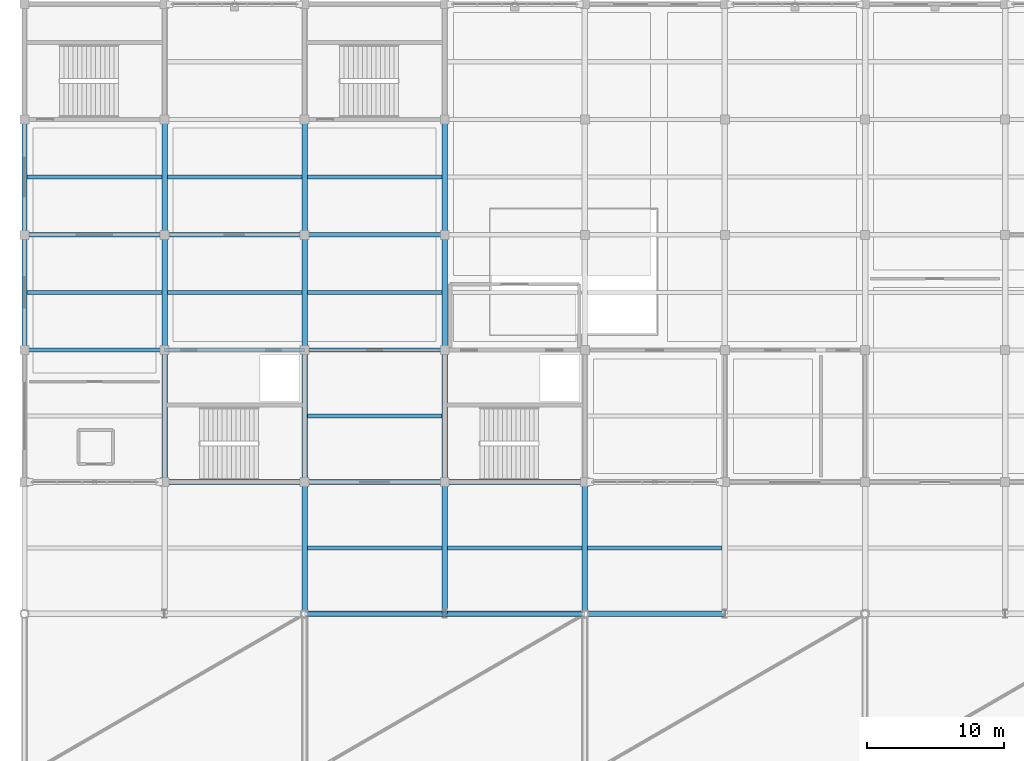
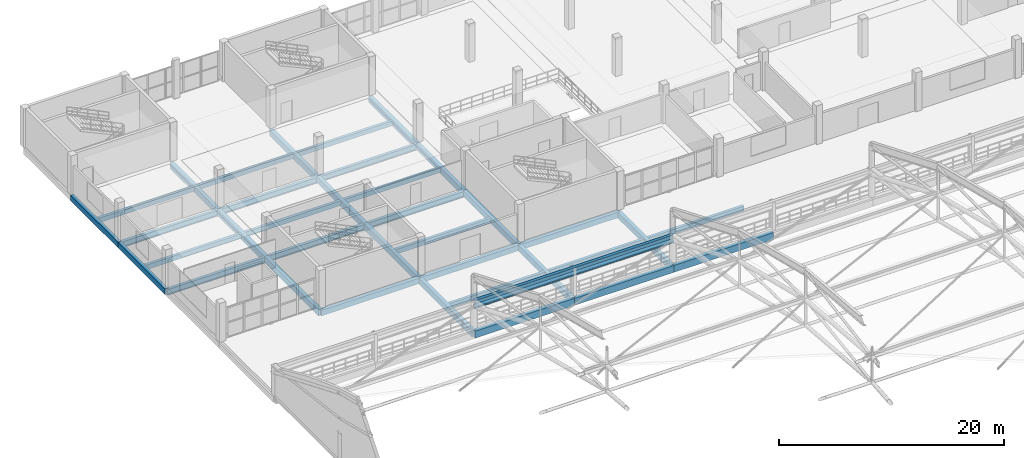
# One storey, part 33 of 135: 37 beams, 1 member.
"""IFC4 building model written with IfcOpenShell, lengths in metres."""

from ifc_helpers import new_model, si_unit, direction, frame, origin, origin_2d, place, context, subcontext, project, spatial, rectangle, hollow_circle, i_section, extrude, material, material_profile, profile_set, type_object, element, save


model = new_model("IFC4")

# Units and contexts
model_context = context("Model", 3, precision=1e-05, world=origin(), true_north=direction((0.0, 1.0)))
body_context = subcontext(model_context, "Body", "Model", "MODEL_VIEW")
ifc_project = project(units=[si_unit("LENGTHUNIT", "METRE"), si_unit("AREAUNIT", "SQUARE_METRE"), si_unit("VOLUMEUNIT", "CUBIC_METRE"), si_unit("PLANEANGLEUNIT", "RADIAN"), si_unit("MASSUNIT", "GRAM", prefix="KILO")], contexts=[model_context])

# Site, building, storey
site_placement = place(None, origin())
site = spatial("IfcSite", under=ifc_project, at=site_placement, CompositionType="ELEMENT")
building_placement = place(site_placement, origin())
building = spatial("IfcBuilding", under=site, at=building_placement, Name="Brelvane Convention Centre", CompositionType="ELEMENT")
storey_placement = place(building_placement, frame((0.0, 0.0, 15.0)))
storey = spatial("IfcBuildingStorey", under=building, at=storey_placement, Name="L03", CompositionType="ELEMENT", Elevation=15.0)

# Beams
ifc_material_1 = material(Name="Concrete M40", Category="concrete")
ifc_material_profile_1 = material_profile(ifc_material_1, rectangle(XDim=0.39990234375, YDim=0.75, at=origin_2d()), Name="RC 400x750")
ifc_profile_set_1 = profile_set([ifc_material_profile_1], Name="Concrete M40")
beam_type_1 = type_object("IfcBeamType", Name="RC Beam B-RC6 (RC 400x750)", PredefinedType="BEAM", material=ifc_profile_set_1)
beam_1_placement = place(storey_placement, frame((20.39990234375, 99.60009765625, -0.68505859375), z_axis=(1.0, 0.0, 0.0), x_axis=(0.0, 1.0, 0.0)))
element("IfcBeam", 1, at=beam_1_placement, inside=storey, type_object=beam_type_1, Name="L03 Beam 3-4/K", PredefinedType="BEAM", context=body_context, shape_type="SweptSolid", body=[
    extrude(rectangle(XDim=0.39990234375, YDim=0.75, at=origin_2d()), origin(), (0.0, 0.0, 1.0), 10.2001953125),
])
for number, where, z_axis, x_axis, name in (
    (2, (30.60009765625, 99.60009765625, -0.68505859375), (1.0, 0.0, 0.0), (0.0, 1.0, 0.0), "L03 Beam 4-5/K"),
    (3, (40.800048828125, 99.60009765625, -0.68505859375), (1.0, 0.0, 0.0), (0.0, 1.0, 0.0), "L03 Beam 5-6/K"),
):
    element("IfcBeam", number, at=place(storey_placement, frame(where, z_axis=z_axis, x_axis=x_axis)), inside=storey, type_object=beam_type_1, Name=name, PredefinedType="BEAM", context=body_context, shape_type="SweptSolid", body=[
        extrude(rectangle(XDim=0.39990234375, YDim=0.75, at=origin_2d()), origin(), (0.0, 0.0, 1.0), 10.199951171875),
    ])
ifc_material_2 = material(Name="Concrete M40", Category="concrete")
ifc_material_profile_2 = material_profile(ifc_material_2, rectangle(XDim=0.39990234375, YDim=0.64990234375, at=origin_2d()), Name="RC 400x650")
ifc_profile_set_2 = profile_set([ifc_material_profile_2], Name="Concrete M40")
beam_type_2 = type_object("IfcBeamType", Name="RC Beam B-RC7 (RC 400x650)", PredefinedType="BEAM", material=ifc_profile_set_2)
beam_2_placement = place(storey_placement, frame((10.199951171875, 109.199951171875, -0.6201171875), z_axis=(0.0, 1.0, 0.0), x_axis=(-1.0, 0.0, 0.0)))
element("IfcBeam", 4, at=beam_2_placement, inside=storey, type_object=beam_type_2, Name="L03 Girder 2/L-M", PredefinedType="BEAM", context=body_context, shape_type="SweptSolid", body=[
    extrude(rectangle(XDim=0.39990234375, YDim=0.64990234375, at=origin_2d()), origin(), (0.0, 0.0, 1.0), 9.60009765625),
])
beam_3_placement = place(storey_placement, frame((10.199951171875, 118.800048828125, -0.6201171875), z_axis=(0.0, 1.0, 0.0), x_axis=(-1.0, 0.0, 0.0)))
element("IfcBeam", 5, at=beam_3_placement, inside=storey, type_object=beam_type_2, Name="L03 Girder 2/M-N", PredefinedType="BEAM", context=body_context, shape_type="SweptSolid", body=[
    extrude(rectangle(XDim=0.39990234375, YDim=0.64990234375, at=origin_2d()), origin(), (0.0, 0.0, 1.0), 8.39990234375),
])
beam_4_placement = place(storey_placement, frame((10.199951171875, 127.199951171875, -0.6201171875), z_axis=(0.0, 1.0, 0.0), x_axis=(-1.0, 0.0, 0.0)))
element("IfcBeam", 6, at=beam_4_placement, inside=storey, type_object=beam_type_2, Name="L03 Girder 2/N-P", PredefinedType="BEAM", context=body_context, shape_type="SweptSolid", body=[
    extrude(rectangle(XDim=0.39990234375, YDim=0.64990234375, at=origin_2d()), origin(), (0.0, 0.0, 1.0), 8.400146484375),
])
beam_5_placement = place(storey_placement, frame((20.39990234375, 99.60009765625, -0.635009765625), z_axis=(0.0, 1.0, 0.0), x_axis=(-1.0, 0.0, 0.0)))
element("IfcBeam", 7, at=beam_5_placement, inside=storey, type_object=beam_type_2, Name="L03 Girder 3/K-L", PredefinedType="BEAM", context=body_context, shape_type="SweptSolid", body=[
    extrude(rectangle(XDim=0.39990234375, YDim=0.64990234375, at=origin_2d()), origin(), (0.0, 0.0, 1.0), 9.599853515625),
])
beam_6_placement = place(storey_placement, frame((20.39990234375, 109.199951171875, -0.6201171875), z_axis=(0.0, 1.0, 0.0), x_axis=(-1.0, 0.0, 0.0)))
element("IfcBeam", 8, at=beam_6_placement, inside=storey, type_object=beam_type_2, Name="L03 Girder 3/L-M", PredefinedType="BEAM", context=body_context, shape_type="SweptSolid", body=[
    extrude(rectangle(XDim=0.39990234375, YDim=0.64990234375, at=origin_2d()), origin(), (0.0, 0.0, 1.0), 9.60009765625),
])
beam_7_placement = place(storey_placement, frame((20.39990234375, 118.800048828125, -0.6201171875), z_axis=(0.0, 1.0, 0.0), x_axis=(-1.0, 0.0, 0.0)))
element("IfcBeam", 9, at=beam_7_placement, inside=storey, type_object=beam_type_2, Name="L03 Girder 3/M-N", PredefinedType="BEAM", context=body_context, shape_type="SweptSolid", body=[
    extrude(rectangle(XDim=0.39990234375, YDim=0.64990234375, at=origin_2d()), origin(), (0.0, 0.0, 1.0), 8.39990234375),
])
beam_8_placement = place(storey_placement, frame((20.39990234375, 127.199951171875, -0.6201171875), z_axis=(0.0, 1.0, 0.0), x_axis=(-1.0, 0.0, 0.0)))
element("IfcBeam", 10, at=beam_8_placement, inside=storey, type_object=beam_type_2, Name="L03 Girder 3/N-P", PredefinedType="BEAM", context=body_context, shape_type="SweptSolid", body=[
    extrude(rectangle(XDim=0.39990234375, YDim=0.64990234375, at=origin_2d()), origin(), (0.0, 0.0, 1.0), 8.400146484375),
])
beam_9_placement = place(storey_placement, frame((30.60009765625, 99.60009765625, -0.635009765625), z_axis=(0.0, 1.0, 0.0), x_axis=(-1.0, 0.0, 0.0)))
element("IfcBeam", 11, at=beam_9_placement, inside=storey, type_object=beam_type_2, Name="L03 Girder 4/K-L", PredefinedType="BEAM", context=body_context, shape_type="SweptSolid", body=[
    extrude(rectangle(XDim=0.39990234375, YDim=0.64990234375, at=origin_2d()), origin(), (0.0, 0.0, 1.0), 9.599853515625),
])
beam_10_placement = place(storey_placement, frame((30.60009765625, 109.199951171875, -0.6201171875), z_axis=(0.0, 1.0, 0.0), x_axis=(-1.0, 0.0, 0.0)))
element("IfcBeam", 12, at=beam_10_placement, inside=storey, type_object=beam_type_2, Name="L03 Girder 4/L-M", PredefinedType="BEAM", context=body_context, shape_type="SweptSolid", body=[
    extrude(rectangle(XDim=0.39990234375, YDim=0.64990234375, at=origin_2d()), origin(), (0.0, 0.0, 1.0), 9.60009765625),
])
beam_11_placement = place(storey_placement, frame((30.60009765625, 118.800048828125, -0.6201171875), z_axis=(0.0, 1.0, 0.0), x_axis=(-1.0, 0.0, 0.0)))
element("IfcBeam", 13, at=beam_11_placement, inside=storey, type_object=beam_type_2, Name="L03 Girder 4/M-N", PredefinedType="BEAM", context=body_context, shape_type="SweptSolid", body=[
    extrude(rectangle(XDim=0.39990234375, YDim=0.64990234375, at=origin_2d()), origin(), (0.0, 0.0, 1.0), 8.39990234375),
])
beam_12_placement = place(storey_placement, frame((30.60009765625, 127.199951171875, -0.6201171875), z_axis=(0.0, 1.0, 0.0), x_axis=(-1.0, 0.0, 0.0)))
element("IfcBeam", 14, at=beam_12_placement, inside=storey, type_object=beam_type_2, Name="L03 Girder 4/N-P", PredefinedType="BEAM", context=body_context, shape_type="SweptSolid", body=[
    extrude(rectangle(XDim=0.39990234375, YDim=0.64990234375, at=origin_2d()), origin(), (0.0, 0.0, 1.0), 8.400146484375),
])
beam_13_placement = place(storey_placement, frame((40.800048828125, 99.60009765625, -0.635009765625), z_axis=(0.0, 1.0, 0.0), x_axis=(-1.0, 0.0, 0.0)))
element("IfcBeam", 15, at=beam_13_placement, inside=storey, type_object=beam_type_2, Name="L03 Girder 5/K-L", PredefinedType="BEAM", context=body_context, shape_type="SweptSolid", body=[
    extrude(rectangle(XDim=0.39990234375, YDim=0.64990234375, at=origin_2d()), origin(), (0.0, 0.0, 1.0), 9.599853515625),
])
ifc_material_3 = material(Name="Concrete M40", Category="concrete")
ifc_material_profile_3 = material_profile(ifc_material_3, rectangle(XDim=0.300048828125, YDim=0.5, at=origin_2d()), Name="RC 300x500")
ifc_profile_set_3 = profile_set([ifc_material_profile_3], Name="Concrete M40")
beam_type_3 = type_object("IfcBeamType", Name="RC Joist J-RC2 (RC 300x500)", PredefinedType="JOIST", material=ifc_profile_set_3)
for number, where, z_axis, x_axis, name in (
    (16, (0.175048828125, 123.0, -0.544921875), (1.0, 0.0, 0.0), (0.0, 1.0, 0.0), "L03 Secondary Joist 1-2/MN"),
    (17, (0.175048828125, 131.39990234375, -0.544921875), (1.0, 0.0, 0.0), (0.0, 1.0, 0.0), "L03 Secondary Joist 1-2/NP"),
):
    element("IfcBeam", number, at=place(storey_placement, frame(where, z_axis=z_axis, x_axis=x_axis)), inside=storey, type_object=beam_type_3, Name=name, PredefinedType="JOIST", context=body_context, shape_type="SweptSolid", body=[
        extrude(rectangle(XDim=0.300048828125, YDim=0.5, at=origin_2d()), origin(), (0.0, 0.0, 1.0), 9.824951171875),
    ])
for number, where, z_axis, x_axis, name in (
    (18, (10.39990234375, 123.0, -0.544921875), (1.0, 0.0, 0.0), (0.0, 1.0, 0.0), "L03 Secondary Joist 2-3/MN"),
    (19, (10.39990234375, 131.39990234375, -0.544921875), (1.0, 0.0, 0.0), (0.0, 1.0, 0.0), "L03 Secondary Joist 2-3/NP"),
):
    element("IfcBeam", number, at=place(storey_placement, frame(where, z_axis=z_axis, x_axis=x_axis)), inside=storey, type_object=beam_type_3, Name=name, PredefinedType="JOIST", context=body_context, shape_type="SweptSolid", body=[
        extrude(rectangle(XDim=0.300048828125, YDim=0.5, at=origin_2d()), origin(), (0.0, 0.0, 1.0), 9.800048828125),
    ])
for number, where, z_axis, x_axis, name in (
    (20, (20.60009765625, 104.39990234375, -0.56005859375), (1.0, 0.0, 0.0), (0.0, 1.0, 0.0), "L03 Secondary Joist 3-4/KL"),
    (21, (20.60009765625, 114.0, -0.544921875), (1.0, 0.0, 0.0), (0.0, 1.0, 0.0), "L03 Secondary Joist 3-4/LM"),
    (22, (20.60009765625, 123.0, -0.544921875), (1.0, 0.0, 0.0), (0.0, 1.0, 0.0), "L03 Secondary Joist 3-4/MN"),
    (23, (20.60009765625, 131.39990234375, -0.544921875), (1.0, 0.0, 0.0), (0.0, 1.0, 0.0), "L03 Secondary Joist 3-4/NP"),
):
    element("IfcBeam", number, at=place(storey_placement, frame(where, z_axis=z_axis, x_axis=x_axis)), inside=storey, type_object=beam_type_3, Name=name, PredefinedType="JOIST", context=body_context, shape_type="SweptSolid", body=[
        extrude(rectangle(XDim=0.300048828125, YDim=0.5, at=origin_2d()), origin(), (0.0, 0.0, 1.0), 9.7998046875),
    ])
for number, where, z_axis, x_axis, name in (
    (24, (30.800048828125, 104.39990234375, -0.56005859375), (1.0, 0.0, 0.0), (0.0, 1.0, 0.0), "L03 Secondary Joist 4-5/KL"),
    (25, (41.0, 104.39990234375, -0.56005859375), (1.0, 0.0, 0.0), (0.0, 1.0, 0.0), "L03 Secondary Joist 5-6/KL"),
):
    element("IfcBeam", number, at=place(storey_placement, frame(where, z_axis=z_axis, x_axis=x_axis)), inside=storey, type_object=beam_type_3, Name=name, PredefinedType="JOIST", context=body_context, shape_type="SweptSolid", body=[
        extrude(rectangle(XDim=0.300048828125, YDim=0.5, at=origin_2d()), origin(), (0.0, 0.0, 1.0), 9.800048828125),
    ])
ifc_material_4 = material(Name="Concrete M40", Category="concrete")
ifc_material_profile_4 = material_profile(ifc_material_4, rectangle(XDim=0.35009765625, YDim=0.60009765625, at=origin_2d()), Name="RC 350x600")
ifc_profile_set_4 = profile_set([ifc_material_profile_4], Name="Concrete M40")
beam_type_4 = type_object("IfcBeamType", Name="RC Spandrel SP-RC2 (RC 350x600)", PredefinedType="SPANDREL", material=ifc_profile_set_4)
beam_14_placement = place(storey_placement, frame((10.199951171875, 109.199951171875, -0.610107421875), z_axis=(1.0, 0.0, 0.0), x_axis=(0.0, 1.0, 0.0)))
element("IfcBeam", 26, at=beam_14_placement, inside=storey, type_object=beam_type_4, Name="L03 Beam 2-3/L", PredefinedType="SPANDREL", context=body_context, shape_type="SweptSolid", body=[
    extrude(rectangle(XDim=0.35009765625, YDim=0.60009765625, at=origin_2d()), origin(), (0.0, 0.0, 1.0), 10.199951171875),
])
beam_15_placement = place(storey_placement, frame((20.39990234375, 109.199951171875, -0.610107421875), z_axis=(1.0, 0.0, 0.0), x_axis=(0.0, 1.0, 0.0)))
element("IfcBeam", 27, at=beam_15_placement, inside=storey, type_object=beam_type_4, Name="L03 Beam 3-4/L", PredefinedType="SPANDREL", context=body_context, shape_type="SweptSolid", body=[
    extrude(rectangle(XDim=0.35009765625, YDim=0.60009765625, at=origin_2d()), origin(), (0.0, 0.0, 1.0), 10.2001953125),
])
beam_16_placement = place(storey_placement, frame((30.60009765625, 109.199951171875, -0.610107421875), z_axis=(1.0, 0.0, 0.0), x_axis=(0.0, 1.0, 0.0)))
element("IfcBeam", 28, at=beam_16_placement, inside=storey, type_object=beam_type_4, Name="L03 Beam 4-5/L", PredefinedType="SPANDREL", context=body_context, shape_type="SweptSolid", body=[
    extrude(rectangle(XDim=0.35009765625, YDim=0.60009765625, at=origin_2d()), origin(), (0.0, 0.0, 1.0), 10.199951171875),
])
beam_17_placement = place(storey_placement, frame((0.0, 118.800048828125, -0.594970703125), z_axis=(0.0, 1.0, 0.0), x_axis=(-1.0, 0.0, 0.0)))
element("IfcBeam", 29, at=beam_17_placement, inside=storey, type_object=beam_type_4, Name="L03 Girder 1/M-N", PredefinedType="SPANDREL", context=body_context, shape_type="SweptSolid", body=[
    extrude(rectangle(XDim=0.35009765625, YDim=0.60009765625, at=origin_2d()), origin(), (0.0, 0.0, 1.0), 8.39990234375),
])
beam_18_placement = place(storey_placement, frame((0.0, 127.199951171875, -0.594970703125), z_axis=(0.0, 1.0, 0.0), x_axis=(-1.0, 0.0, 0.0)))
element("IfcBeam", 30, at=beam_18_placement, inside=storey, type_object=beam_type_4, Name="L03 Girder 1/N-P", PredefinedType="SPANDREL", context=body_context, shape_type="SweptSolid", body=[
    extrude(rectangle(XDim=0.35009765625, YDim=0.60009765625, at=origin_2d()), origin(), (0.0, 0.0, 1.0), 8.400146484375),
])
ifc_material_5 = material(Name="Steel E450 (450 MPa)", Category="steel")
ifc_material_profile_5 = material_profile(ifc_material_5, i_section(OverallWidth=0.300048828125, OverallDepth=0.89990234375, WebThickness=0.0166015625, FlangeThickness=0.031982421875, FilletRadius=0.027099609375, at=origin_2d()), Name="NPB 900x300")
ifc_profile_set_5 = profile_set([ifc_material_profile_5], Name="Steel E450 (450 MPa)")
beam_type_5 = type_object("IfcBeamType", Name="Steel Beam B-ST1 (NPB 900x300)", PredefinedType="BEAM", material=ifc_profile_set_5)
beam_19_placement = place(storey_placement, frame((20.39990234375, 99.60009765625, 2.550048828125), z_axis=(1.0, 0.0, 0.0), x_axis=(0.0, 1.0, 0.0)))
element("IfcBeam", 31, at=beam_19_placement, inside=storey, type_object=beam_type_5, Name="SF_EXH Eaves Ring Girder N-2", PredefinedType="BEAM", context=body_context, shape_type="SweptSolid", body=[
    extrude(i_section(OverallWidth=0.300048828125, OverallDepth=0.89990234375, WebThickness=0.0166015625, FlangeThickness=0.031982421875, FilletRadius=0.027099609375, at=origin_2d()), origin(), (0.0, 0.0, 1.0), 20.400146484375),
])
ifc_material_6 = material(Name="Steel E350 (350 MPa)", Category="steel")
ifc_material_profile_6 = material_profile(ifc_material_6, i_section(OverallWidth=0.300048828125, OverallDepth=0.64990234375, WebThickness=0.014404296875, FlangeThickness=0.02587890625, FilletRadius=0.02392578125, at=origin_2d()), Name="NPB 650x300")
ifc_profile_set_6 = profile_set([ifc_material_profile_6], Name="Steel E350 (350 MPa)")
beam_type_6 = type_object("IfcBeamType", Name="Steel Beam B-ST4 (NPB 650x300)", PredefinedType="BEAM", material=ifc_profile_set_6)
for number, where, z_axis, x_axis, name in (
    (32, (0.0, 118.800048828125, -0.6201171875), (1.0, 0.0, 0.0), (0.0, 1.0, 0.0), "L03 Beam 1-2/M"),
    (33, (0.0, 127.199951171875, -0.6201171875), (1.0, 0.0, 0.0), (0.0, 1.0, 0.0), "L03 Beam 1-2/N"),
    (34, (10.199951171875, 118.800048828125, -0.6201171875), (1.0, 0.0, 0.0), (0.0, 1.0, 0.0), "L03 Beam 2-3/M"),
    (35, (10.199951171875, 127.199951171875, -0.6201171875), (1.0, 0.0, 0.0), (0.0, 1.0, 0.0), "L03 Beam 2-3/N"),
):
    element("IfcBeam", number, at=place(storey_placement, frame(where, z_axis=z_axis, x_axis=x_axis)), inside=storey, type_object=beam_type_6, Name=name, PredefinedType="BEAM", context=body_context, shape_type="SweptSolid", body=[
        extrude(i_section(OverallWidth=0.300048828125, OverallDepth=0.64990234375, WebThickness=0.014404296875, FlangeThickness=0.02587890625, FilletRadius=0.02392578125, at=origin_2d()), origin(), (0.0, 0.0, 1.0), 10.199951171875),
    ])
for number, where, z_axis, x_axis, name in (
    (36, (20.39990234375, 118.800048828125, -0.6201171875), (1.0, 0.0, 0.0), (0.0, 1.0, 0.0), "L03 Beam 3-4/M"),
    (37, (20.39990234375, 127.199951171875, -0.6201171875), (1.0, 0.0, 0.0), (0.0, 1.0, 0.0), "L03 Beam 3-4/N"),
):
    element("IfcBeam", number, at=place(storey_placement, frame(where, z_axis=z_axis, x_axis=x_axis)), inside=storey, type_object=beam_type_6, Name=name, PredefinedType="BEAM", context=body_context, shape_type="SweptSolid", body=[
        extrude(i_section(OverallWidth=0.300048828125, OverallDepth=0.64990234375, WebThickness=0.014404296875, FlangeThickness=0.02587890625, FilletRadius=0.02392578125, at=origin_2d()), origin(), (0.0, 0.0, 1.0), 10.2001953125),
    ])

# Member
ifc_material_7 = material(Name="Steel E450 (450 MPa)", Category="steel")
ifc_material_profile_7 = material_profile(ifc_material_7, hollow_circle(Radius=0.177734375, WallThickness=0.01611328125, at=origin_2d()), Name="CHS 355.6x16.0")
ifc_profile_set_7 = profile_set([ifc_material_profile_7], Name="Steel E450 (450 MPa)")
member_type = type_object("IfcMemberType", Name="Steel Chord SF-TC2 (CHS 355.6x16.0)", PredefinedType="CHORD", material=ifc_profile_set_7)
member_placement = place(storey_placement, frame((20.39990234375, 99.60009765625, 2.340087890625), z_axis=(1.0, 0.0, 0.0), x_axis=(0.0, 1.0, 0.0)))
element("IfcMember", 38, at=member_placement, inside=storey, type_object=member_type, Name="SF_EXH Longitudinal Top Chord LT2.7", PredefinedType="CHORD", context=body_context, shape_type="SweptSolid", body=[
    extrude(hollow_circle(Radius=0.177734375, WallThickness=0.01611328125, at=origin_2d()), origin(), (0.0, 0.0, 1.0), 20.400146484375),
])

save(model, "model.ifc")
